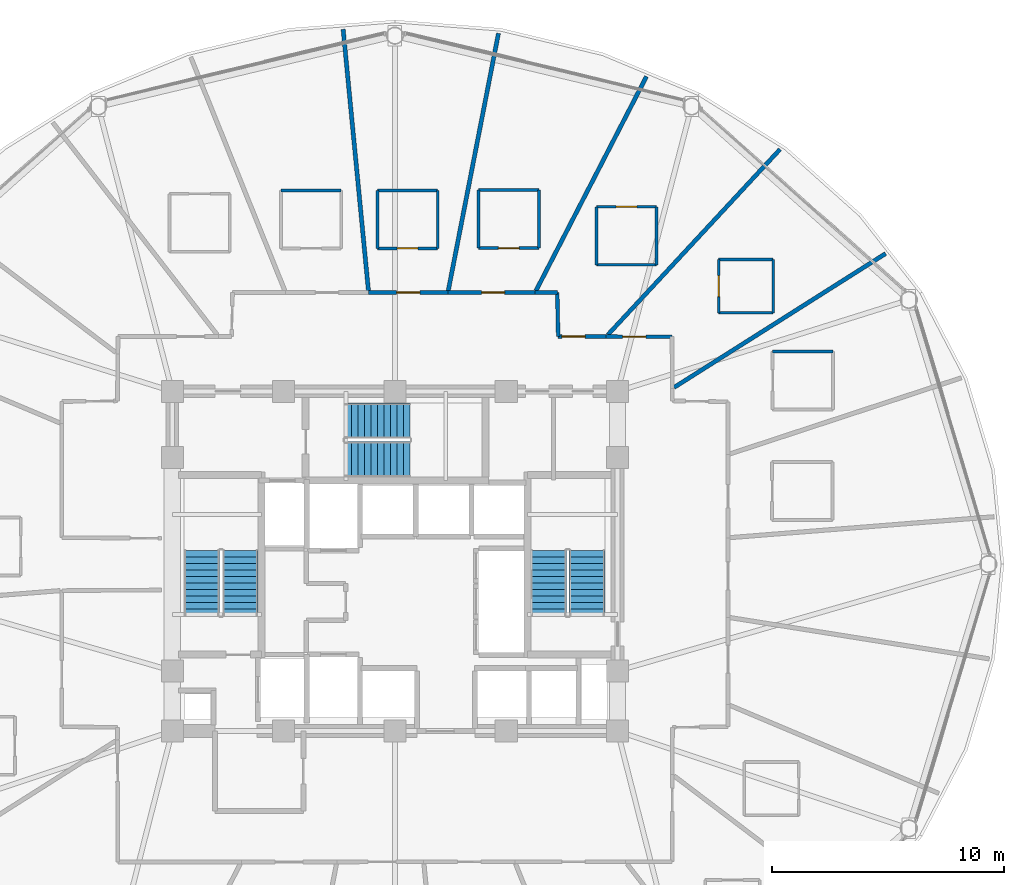
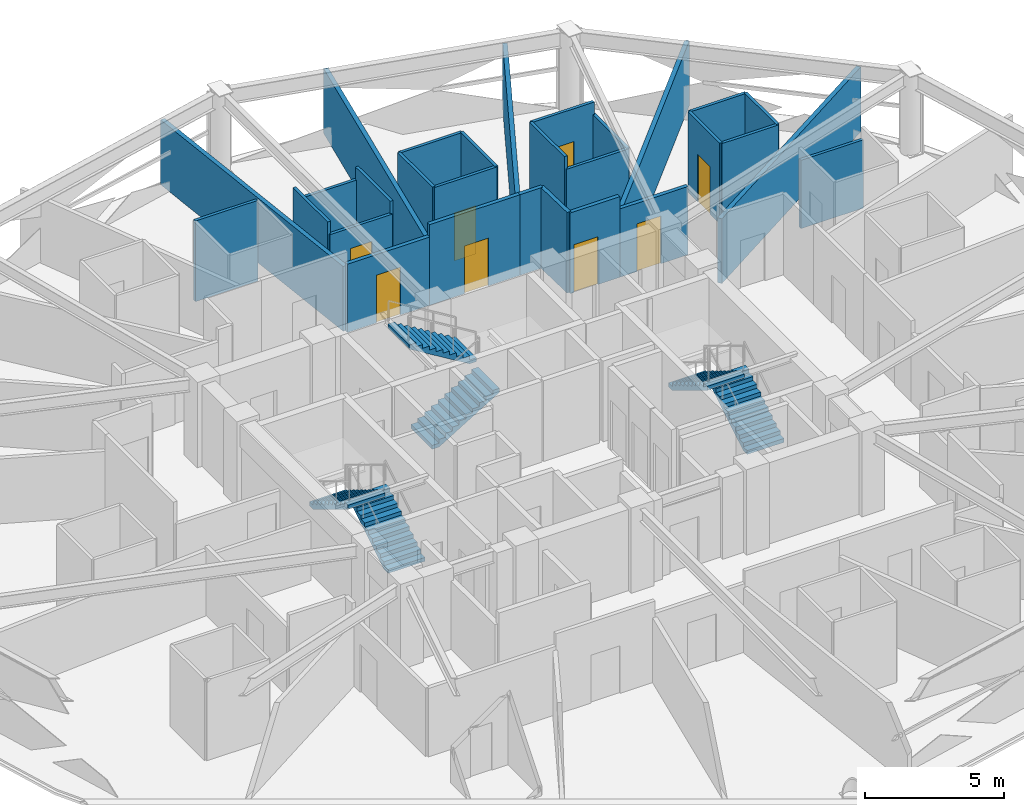
# One storey, part 28 of 32: 29 walls, 8 doors, 6 stair flights, 8 openings, 3 elements without a shape of their own.
"""IFC4 building model written with IfcOpenShell, lengths in metres."""

from ifc_helpers import new_model, si_unit, direction, frame, frame_2d, origin, place, context, subcontext, project, spatial, polyline, rectangle, outline, extrude, material, layer, layer_set, type_object, element, fill, aggregate, save


model = new_model("IFC4")

# Units and contexts
model_context = context("Model", 3, precision=1e-05, world=origin(), true_north=direction((0.0, 1.0)))
body_context = subcontext(model_context, "Body", "Model", "MODEL_VIEW")
ifc_project = project(units=[si_unit("LENGTHUNIT", "METRE"), si_unit("AREAUNIT", "SQUARE_METRE"), si_unit("VOLUMEUNIT", "CUBIC_METRE"), si_unit("PLANEANGLEUNIT", "RADIAN"), si_unit("MASSUNIT", "GRAM", prefix="KILO")], contexts=[model_context])

# Site, building, storey
site_placement = place(None, origin())
site = spatial("IfcSite", under=ifc_project, at=site_placement, CompositionType="ELEMENT")
building_placement = place(site_placement, origin())
building = spatial("IfcBuilding", under=site, at=building_placement, Name="Vantalir Tower", CompositionType="ELEMENT")
storey_placement = place(building_placement, frame((0.0, 0.0, 108.449951171875)))
storey = spatial("IfcBuildingStorey", under=building, at=storey_placement, Name="L26", CompositionType="ELEMENT", Elevation=108.449951171875)

# Walls
ifc_material_1 = material(Name="Moisture-resistant en-suite partition", Category="gypsum")
ifc_layer_1 = layer(ifc_material_1, 0.125)
ifc_layer_set_1 = layer_set([ifc_layer_1], Name="Moisture-resistant en-suite partition")
wall_type_1 = type_object("IfcWallType", Name="WL-BATH-125", PredefinedType="PARTITIONING", material=ifc_layer_set_1)
wall_1_placement = place(storey_placement, frame((47.784912109375, 34.173095703125, 0.0), z_axis=(0.0, 0.0, 1.0), x_axis=(1.0, 0.0, 0.0)))
element("IfcWall", 1, at=wall_1_placement, inside=storey, type_object=wall_type_1, Name="L26 En-suite 02 North Wall", PredefinedType="PARTITIONING", context=body_context, shape_type="SweptSolid", body=[
    extrude(rectangle(XDim=2.60009765625, YDim=0.125, at=frame_2d((1.300048828125, 0.0))), origin(), (0.0, 0.0, 1.0), 3.006103515625),
])
for number, where, z_axis, x_axis, name in (
    (2, (45.462890625, 35.837890625, 0.0), (0.0, 0.0, 1.0), (1.0, 0.0, 0.0), "L26 En-suite 03 South Wall"),
    (3, (45.462890625, 38.137939453125, 0.0), (0.0, 0.0, 1.0), (1.0, 0.0, 0.0), "L26 En-suite 03 North Wall"),
):
    element("IfcWall", number, at=place(storey_placement, frame(where, z_axis=z_axis, x_axis=x_axis)), inside=storey, type_object=wall_type_1, Name=name, PredefinedType="PARTITIONING", context=body_context, shape_type="SweptSolid", body=[
        extrude(rectangle(XDim=2.35009765625, YDim=0.125, at=frame_2d((1.175048828125, 0.0))), origin(), (0.0, 0.0, 1.0), 3.550048828125),
    ])

# Wall, opening, door
wall_2_placement = place(storey_placement, frame((45.462890625, 35.837890625, 0.0), z_axis=(0.0, 0.0, 1.0), x_axis=(0.0, 1.0, 0.0)))
wall_2 = element("IfcWall", 4, at=wall_2_placement, inside=storey, type_object=wall_type_1, Name="L26 En-suite 03 West Wall", PredefinedType="PARTITIONING", context=body_context, shape_type="SweptSolid", body=[
    extrude(rectangle(XDim=2.300048828125, YDim=0.125, at=frame_2d((1.14990234375, 0.0))), origin(), (0.0, 0.0, 1.0), 3.550048828125),
])
opening_1_placement = place(wall_2_placement, frame((0.699951171875, 0.0, 0.0)))
opening_1 = element("IfcOpeningElement", 5, at=opening_1_placement, cuts=wall_2, Name="Opening D-WC", PredefinedType="OPENING", context=body_context, shape_type="SweptSolid", body=[
    extrude(rectangle(XDim=0.89990234375, YDim=2.10009765625, at=frame_2d((0.449951171875, 1.050048828125))), frame((0.0, 0.072509765625, 0.0), z_axis=(0.0, -1.0, 0.0), x_axis=(1.0, 0.0, 0.0)), (0.0, 0.0, 1.0), 0.14501953125),
])
ifc_material_2 = material(Name="Moisture-resistant hardwood door", Category="wood")
door_type_1 = type_object("IfcDoorType", Name="DR-ENSUITE-900", OperationType="NOTDEFINED", PredefinedType="DOOR", material=ifc_material_2)
door_1_placement = place(opening_1_placement, frame((0.89990234375, 0.0, 0.0), z_axis=(0.0, 0.0, 1.0), x_axis=(-1.0, 0.0, 0.0)))
door_1 = element("IfcDoor", 6, at=door_1_placement, inside=storey, type_object=door_type_1, Name="L26 En-suite 03 Door", OperationType="SINGLE_SWING_RIGHT", OverallHeight=2.10009765625, OverallWidth=0.89990234375, PredefinedType="DOOR", context=body_context, shape_type="SweptSolid", body=[
    extrude(rectangle(XDim=0.89990234375, YDim=2.10009765625, at=frame_2d((0.449951171875, 1.050048828125))), frame((0.0, 0.02490234375, 0.0), z_axis=(0.0, -1.0, 0.0), x_axis=(1.0, 0.0, 0.0)), (0.0, 0.0, 1.0), 0.050048828125),
])
fill(opening_1, door_1)

# Walls
wall_3_placement = place(storey_placement, frame((47.81298828125, 35.837890625, 0.0), z_axis=(0.0, 0.0, 1.0), x_axis=(0.0, 1.0, 0.0)))
element("IfcWall", 7, at=wall_3_placement, inside=storey, type_object=wall_type_1, Name="L26 En-suite 03 East Wall", PredefinedType="PARTITIONING", context=body_context, shape_type="SweptSolid", body=[
    extrude(rectangle(XDim=2.300048828125, YDim=0.125, at=frame_2d((1.14990234375, 0.0))), origin(), (0.0, 0.0, 1.0), 3.550048828125),
])
wall_4_placement = place(storey_placement, frame((40.18701171875, 37.908935546875, 0.0), z_axis=(0.0, 0.0, 1.0), x_axis=(1.0, 0.0, 0.0)))
element("IfcWall", 8, at=wall_4_placement, inside=storey, type_object=wall_type_1, Name="L26 En-suite 04 South Wall", PredefinedType="PARTITIONING", context=body_context, shape_type="SweptSolid", body=[
    extrude(rectangle(XDim=2.60009765625, YDim=0.125, at=frame_2d((1.300048828125, 0.0))), origin(), (0.0, 0.0, 1.0), 3.006103515625),
])

# Wall, opening, door
wall_5_placement = place(storey_placement, frame((40.18701171875, 40.408935546875, 0.0), z_axis=(0.0, 0.0, 1.0), x_axis=(1.0, 0.0, 0.0)))
wall_5 = element("IfcWall", 9, at=wall_5_placement, inside=storey, type_object=wall_type_1, Name="L26 En-suite 04 North Wall", PredefinedType="PARTITIONING", context=body_context, shape_type="SweptSolid", body=[
    extrude(rectangle(XDim=2.60009765625, YDim=0.125, at=frame_2d((1.300048828125, 0.0))), origin(), (0.0, 0.0, 1.0), 3.550048828125),
])
opening_2_placement = place(wall_5_placement, frame((0.85009765625, 0.0, 0.0)))
opening_2 = element("IfcOpeningElement", 10, at=opening_2_placement, cuts=wall_5, Name="Opening D-WC", PredefinedType="OPENING", context=body_context, shape_type="SweptSolid", body=[
    extrude(rectangle(XDim=0.89990234375, YDim=2.10009765625, at=frame_2d((0.449951171875, 1.050048828125))), frame((0.0, 0.072509765625, 0.0), z_axis=(0.0, -1.0, 0.0), x_axis=(1.0, 0.0, 0.0)), (0.0, 0.0, 1.0), 0.14501953125),
])
door_2_placement = place(opening_2_placement, frame((0.89990234375, 0.0, 0.0), z_axis=(0.0, 0.0, 1.0), x_axis=(-1.0, 0.0, 0.0)))
door_2 = element("IfcDoor", 11, at=door_2_placement, inside=storey, type_object=door_type_1, Name="L26 En-suite 04 Door", OperationType="SINGLE_SWING_LEFT", OverallHeight=2.10009765625, OverallWidth=0.89990234375, PredefinedType="DOOR", context=body_context, shape_type="SweptSolid", body=[
    extrude(rectangle(XDim=0.89990234375, YDim=2.10009765625, at=frame_2d((0.449951171875, 1.050048828125))), frame((0.0, 0.02490234375, 0.0), z_axis=(0.0, -1.0, 0.0), x_axis=(1.0, 0.0, 0.0)), (0.0, 0.0, 1.0), 0.050048828125),
])
fill(opening_2, door_2)

# Walls
wall_6_placement = place(storey_placement, frame((40.18701171875, 37.908935546875, 0.0), z_axis=(0.0, 0.0, 1.0), x_axis=(0.0, 1.0, 0.0)))
element("IfcWall", 12, at=wall_6_placement, inside=storey, type_object=wall_type_1, Name="L26 En-suite 04 West Wall", PredefinedType="PARTITIONING", context=body_context, shape_type="SweptSolid", body=[
    extrude(rectangle(XDim=2.5, YDim=0.125, at=frame_2d((1.25, 0.0))), origin(), (0.0, 0.0, 1.0), 3.550048828125),
])
wall_7_placement = place(storey_placement, frame((42.787109375, 37.908935546875, 0.0), z_axis=(0.0, 0.0, 1.0), x_axis=(0.0, 1.0, 0.0)))
element("IfcWall", 13, at=wall_7_placement, inside=storey, type_object=wall_type_1, Name="L26 En-suite 04 East Wall", PredefinedType="PARTITIONING", context=body_context, shape_type="SweptSolid", body=[
    extrude(rectangle(XDim=2.5, YDim=0.125, at=frame_2d((1.25, 0.0))), origin(), (0.0, 0.0, 1.0), 3.006103515625),
])

# Wall, opening, door
wall_8_placement = place(storey_placement, frame((35.110107421875, 38.6259765625, 0.0), z_axis=(0.0, 0.0, 1.0), x_axis=(1.0, 0.0, 0.0)))
wall_8 = element("IfcWall", 14, at=wall_8_placement, inside=storey, type_object=wall_type_1, Name="L26 En-suite 05 South Wall", PredefinedType="PARTITIONING", context=body_context, shape_type="SweptSolid", body=[
    extrude(rectangle(XDim=2.599853515625, YDim=0.125, at=frame_2d((1.2998046875, 0.0))), origin(), (0.0, 0.0, 1.0), 3.550048828125),
])
opening_3_placement = place(wall_8_placement, frame((0.85009765625, 0.0, 0.0)))
opening_3 = element("IfcOpeningElement", 15, at=opening_3_placement, cuts=wall_8, Name="Opening D-WC", PredefinedType="OPENING", context=body_context, shape_type="SweptSolid", body=[
    extrude(rectangle(XDim=0.89990234375, YDim=2.10009765625, at=frame_2d((0.449951171875, 1.050048828125))), frame((0.0, 0.072509765625, 0.0), z_axis=(0.0, -1.0, 0.0), x_axis=(1.0, 0.0, 0.0)), (0.0, 0.0, 1.0), 0.14501953125),
])
door_3_placement = place(opening_3_placement, origin())
door_3 = element("IfcDoor", 16, at=door_3_placement, inside=storey, type_object=door_type_1, Name="L26 En-suite 05 Door", OperationType="SINGLE_SWING_RIGHT", OverallHeight=2.10009765625, OverallWidth=0.89990234375, PredefinedType="DOOR", context=body_context, shape_type="SweptSolid", body=[
    extrude(rectangle(XDim=0.89990234375, YDim=2.10009765625, at=frame_2d((0.449951171875, 1.050048828125))), frame((0.0, 0.02490234375, 0.0), z_axis=(0.0, -1.0, 0.0), x_axis=(1.0, 0.0, 0.0)), (0.0, 0.0, 1.0), 0.050048828125),
])
fill(opening_3, door_3)

# Walls
wall_9_placement = place(storey_placement, frame((35.110107421875, 41.1259765625, 0.0), z_axis=(0.0, 0.0, 1.0), x_axis=(1.0, 0.0, 0.0)))
element("IfcWall", 17, at=wall_9_placement, inside=storey, type_object=wall_type_1, Name="L26 En-suite 05 North Wall", PredefinedType="PARTITIONING", context=body_context, shape_type="SweptSolid", body=[
    extrude(rectangle(XDim=2.599853515625, YDim=0.125, at=frame_2d((1.2998046875, 0.0))), origin(), (0.0, 0.0, 1.0), 3.550048828125),
])
for number, where, z_axis, x_axis, name in (
    (18, (35.110107421875, 38.6259765625, 0.0), (0.0, 0.0, 1.0), (0.0, 1.0, 0.0), "L26 En-suite 05 West Wall"),
    (19, (37.7099609375, 38.6259765625, 0.0), (0.0, 0.0, 1.0), (0.0, 1.0, 0.0), "L26 En-suite 05 East Wall"),
):
    element("IfcWall", number, at=place(storey_placement, frame(where, z_axis=z_axis, x_axis=x_axis)), inside=storey, type_object=wall_type_1, Name=name, PredefinedType="PARTITIONING", context=body_context, shape_type="SweptSolid", body=[
        extrude(rectangle(XDim=2.5, YDim=0.125, at=frame_2d((1.25, 0.0))), origin(), (0.0, 0.0, 1.0), 3.550048828125),
    ])

# Wall, opening, door
wall_10_placement = place(storey_placement, frame((30.7451171875, 38.617919921875, 0.0), z_axis=(0.0, 0.0, 1.0), x_axis=(1.0, 0.0, 0.0)))
wall_10 = element("IfcWall", 20, at=wall_10_placement, inside=storey, type_object=wall_type_1, Name="L26 En-suite 06 South Wall", PredefinedType="PARTITIONING", context=body_context, shape_type="SweptSolid", body=[
    extrude(rectangle(XDim=2.599853515625, YDim=0.125, at=frame_2d((1.2998046875, 0.0))), origin(), (0.0, 0.0, 1.0), 3.006103515625),
])
opening_4_placement = place(wall_10_placement, frame((0.85009765625, 0.0, 0.0)))
opening_4 = element("IfcOpeningElement", 21, at=opening_4_placement, cuts=wall_10, Name="Opening D-WC", PredefinedType="OPENING", context=body_context, shape_type="SweptSolid", body=[
    extrude(rectangle(XDim=0.89990234375, YDim=2.10009765625, at=frame_2d((0.449951171875, 1.050048828125))), frame((0.0, 0.072509765625, 0.0), z_axis=(0.0, -1.0, 0.0), x_axis=(1.0, 0.0, 0.0)), (0.0, 0.0, 1.0), 0.14501953125),
])
door_4_placement = place(opening_4_placement, origin())
door_4 = element("IfcDoor", 22, at=door_4_placement, inside=storey, type_object=door_type_1, Name="L26 En-suite 06 Door", OperationType="SINGLE_SWING_LEFT", OverallHeight=2.10009765625, OverallWidth=0.89990234375, PredefinedType="DOOR", context=body_context, shape_type="SweptSolid", body=[
    extrude(rectangle(XDim=0.89990234375, YDim=2.10009765625, at=frame_2d((0.449951171875, 1.050048828125))), frame((0.0, 0.02490234375, 0.0), z_axis=(0.0, -1.0, 0.0), x_axis=(1.0, 0.0, 0.0)), (0.0, 0.0, 1.0), 0.050048828125),
])
fill(opening_4, door_4)

# Walls
wall_11_placement = place(storey_placement, frame((30.7451171875, 41.117919921875, 0.0), z_axis=(0.0, 0.0, 1.0), x_axis=(1.0, 0.0, 0.0)))
element("IfcWall", 23, at=wall_11_placement, inside=storey, type_object=wall_type_1, Name="L26 En-suite 06 North Wall", PredefinedType="PARTITIONING", context=body_context, shape_type="SweptSolid", body=[
    extrude(rectangle(XDim=2.599853515625, YDim=0.125, at=frame_2d((1.2998046875, 0.0))), origin(), (0.0, 0.0, 1.0), 3.006103515625),
])
for number, where, z_axis, x_axis, name in (
    (24, (30.7451171875, 38.617919921875, 0.0), (0.0, 0.0, 1.0), (0.0, 1.0, 0.0), "L26 En-suite 06 West Wall"),
    (25, (33.344970703125, 38.617919921875, 0.0), (0.0, 0.0, 1.0), (0.0, 1.0, 0.0), "L26 En-suite 06 East Wall"),
):
    element("IfcWall", number, at=place(storey_placement, frame(where, z_axis=z_axis, x_axis=x_axis)), inside=storey, type_object=wall_type_1, Name=name, PredefinedType="PARTITIONING", context=body_context, shape_type="SweptSolid", body=[
        extrude(rectangle(XDim=2.5, YDim=0.125, at=frame_2d((1.25, 0.0))), origin(), (0.0, 0.0, 1.0), 3.550048828125),
    ])
wall_12_placement = place(storey_placement, frame((26.583984375, 41.114990234375, 0.0), z_axis=(0.0, 0.0, 1.0), x_axis=(1.0, 0.0, 0.0)))
element("IfcWall", 26, at=wall_12_placement, inside=storey, type_object=wall_type_1, Name="L26 En-suite 07 North Wall", PredefinedType="PARTITIONING", context=body_context, shape_type="SweptSolid", body=[
    extrude(rectangle(XDim=2.60009765625, YDim=0.125, at=frame_2d((1.300048828125, 0.0))), origin(), (0.0, 0.0, 1.0), 3.550048828125),
])

# Wall, opening, door
ifc_material_3 = material(Name="Fire-rated hotel corridor acoustic partition", Category="gypsum")
ifc_layer_2 = layer(ifc_material_3, 0.159912109375)
ifc_layer_set_2 = layer_set([ifc_layer_2], Name="Fire-rated hotel corridor acoustic partition")
wall_type_2 = type_object("IfcWallType", Name="WL-CORR-160", PredefinedType="PARTITIONING", material=ifc_layer_set_2)
wall_13_placement = place(storey_placement, frame((30.365966796875, 36.715087890625, 0.0), z_axis=(0.0, 0.0, 1.0), x_axis=(1.0, 0.0, 0.0)))
wall_13 = element("IfcWall", 27, at=wall_13_placement, inside=storey, type_object=wall_type_2, Name="L26 Corridor Partition 12", PredefinedType="PARTITIONING", context=body_context, shape_type="SweptSolid", body=[
    extrude(rectangle(XDim=3.4189453125, YDim=0.159912109375, at=frame_2d((1.70947265625, 0.0))), origin(), (0.0, 0.0, 1.0), 3.006103515625),
])
opening_5_placement = place(wall_13_placement, frame((1.208984375, 0.0, 0.0)))
opening_5 = element("IfcOpeningElement", 28, at=opening_5_placement, cuts=wall_13, Name="Opening D-GUEST", PredefinedType="OPENING", context=body_context, shape_type="SweptSolid", body=[
    extrude(rectangle(XDim=1.0, YDim=2.10009765625, at=frame_2d((0.5, 1.050048828125))), frame((0.0, 0.08984375, 0.0), z_axis=(0.0, -1.0, 0.0), x_axis=(1.0, 0.0, 0.0)), (0.0, 0.0, 1.0), 0.179931640625),
])
ifc_material_4 = material(Name="Solid-core teak veneer acoustic fire door", Category="wood")
door_type_2 = type_object("IfcDoorType", Name="DR-GUEST-ENTRY-1000", OperationType="NOTDEFINED", PredefinedType="DOOR", material=ifc_material_4)
door_5_placement = place(opening_5_placement, origin())
door_5 = element("IfcDoor", 29, at=door_5_placement, inside=storey, type_object=door_type_2, Name="L26 Deluxe King Hotel Room 06 Door", OperationType="SINGLE_SWING_LEFT", OverallHeight=2.10009765625, OverallWidth=1.0, PredefinedType="DOOR", context=body_context, shape_type="SweptSolid", body=[
    extrude(rectangle(XDim=1.0, YDim=2.10009765625, at=frame_2d((0.5, 1.050048828125))), frame((0.0, 0.02490234375, 0.0), z_axis=(0.0, -1.0, 0.0), x_axis=(1.0, 0.0, 0.0)), (0.0, 0.0, 1.0), 0.050048828125),
])
fill(opening_5, door_5)

wall_14_placement = place(storey_placement, frame((33.784912109375, 36.715087890625, 0.0), z_axis=(0.0, 0.0, 1.0), x_axis=(1.0, 0.0, 0.0)))
wall_14 = element("IfcWall", 30, at=wall_14_placement, inside=storey, type_object=wall_type_2, Name="L26 Corridor Partition 13", PredefinedType="PARTITIONING", context=body_context, shape_type="SweptSolid", body=[
    extrude(rectangle(XDim=3.759033203125, YDim=0.159912109375, at=frame_2d((1.87939453125, 0.0))), origin(), (0.0, 0.0, 1.0), 3.550048828125),
])
opening_6_placement = place(wall_14_placement, frame((1.450927734375, 0.0, 0.0)))
opening_6 = element("IfcOpeningElement", 31, at=opening_6_placement, cuts=wall_14, Name="Opening D-GUEST", PredefinedType="OPENING", context=body_context, shape_type="SweptSolid", body=[
    extrude(rectangle(XDim=1.0, YDim=2.10009765625, at=frame_2d((0.5, 1.050048828125))), frame((0.0, 0.08984375, 0.0), z_axis=(0.0, -1.0, 0.0), x_axis=(1.0, 0.0, 0.0)), (0.0, 0.0, 1.0), 0.179931640625),
])
door_6_placement = place(opening_6_placement, origin())
door_6 = element("IfcDoor", 32, at=door_6_placement, inside=storey, type_object=door_type_2, Name="L26 Twin Queen Hotel Room 05 Door", OperationType="SINGLE_SWING_RIGHT", OverallHeight=2.10009765625, OverallWidth=1.0, PredefinedType="DOOR", context=body_context, shape_type="SweptSolid", body=[
    extrude(rectangle(XDim=1.0, YDim=2.10009765625, at=frame_2d((0.5, 1.050048828125))), frame((0.0, 0.02490234375, 0.0), z_axis=(0.0, -1.0, 0.0), x_axis=(1.0, 0.0, 0.0)), (0.0, 0.0, 1.0), 0.050048828125),
])
fill(opening_6, door_6)

# Walls
wall_15_placement = place(storey_placement, frame((37.5439453125, 36.715087890625, 0.0), z_axis=(0.0, 0.0, 1.0), x_axis=(1.0, 0.0, 0.0)))
element("IfcWall", 33, at=wall_15_placement, inside=storey, type_object=wall_type_2, Name="L26 Corridor Partition 14", PredefinedType="PARTITIONING", context=body_context, shape_type="SweptSolid", body=[
    extrude(rectangle(XDim=0.9560546875, YDim=0.159912109375, at=frame_2d((0.47802734375, 0.0))), origin(), (0.0, 0.0, 1.0), 3.550048828125),
])
wall_16_placement = place(storey_placement, frame((38.5, 36.715087890625, 0.0), z_axis=(0.0, 0.0, 1.0), x_axis=(0.021066889789, -0.999778068451, 0.0)))
element("IfcWall", 34, at=wall_16_placement, inside=storey, type_object=wall_type_2, Name="L26 Corridor Partition 15", PredefinedType="PARTITIONING", context=body_context, shape_type="SweptSolid", body=[
    extrude(rectangle(XDim=1.900634765625, YDim=0.159912109375, at=frame_2d((0.9501953125, 0.0))), origin(), (0.0, 0.0, 1.0), 3.550048828125),
])

# Wall, opening, door
wall_17_placement = place(storey_placement, frame((38.5400390625, 34.81494140625, 0.0), z_axis=(0.0, 0.0, 1.0), x_axis=(0.999998997337, -0.001416094875, 0.0)))
wall_17 = element("IfcWall", 35, at=wall_17_placement, inside=storey, type_object=wall_type_2, Name="L26 Corridor Partition 16", PredefinedType="PARTITIONING", context=body_context, shape_type="SweptSolid", body=[
    extrude(rectangle(XDim=2.06884765625, YDim=0.159912109375, at=frame_2d((1.034423828125, 0.0))), origin(), (0.0, 0.0, 1.0), 3.550048828125),
])
opening_7_placement = place(wall_17_placement, frame((0.159912109375, 0.0, 0.0)))
opening_7 = element("IfcOpeningElement", 36, at=opening_7_placement, cuts=wall_17, Name="Opening D-GUEST", PredefinedType="OPENING", context=body_context, shape_type="SweptSolid", body=[
    extrude(rectangle(XDim=1.0, YDim=2.10009765625, at=frame_2d((0.5, 1.050048828125))), frame((0.0, 0.08984375, 0.0), z_axis=(0.0, -1.0, 0.0), x_axis=(1.0, 0.0, 0.0)), (0.0, 0.0, 1.0), 0.179931640625),
])
door_7_placement = place(opening_7_placement, origin())
door_7 = element("IfcDoor", 37, at=door_7_placement, inside=storey, type_object=door_type_2, Name="L26 Twin Queen Hotel Room 04 Door", OperationType="SINGLE_SWING_LEFT", OverallHeight=2.10009765625, OverallWidth=1.0, PredefinedType="DOOR", context=body_context, shape_type="SweptSolid", body=[
    extrude(rectangle(XDim=1.0, YDim=2.10009765625, at=frame_2d((0.5, 1.050048828125))), frame((0.0, 0.02490234375, 0.0), z_axis=(0.0, -1.0, 0.0), x_axis=(1.0, 0.0, 0.0)), (0.0, 0.0, 1.0), 0.050048828125),
])
fill(opening_7, door_7)

wall_18_placement = place(storey_placement, frame((40.60888671875, 34.81201171875, 0.0), z_axis=(0.0, 0.0, 1.0), x_axis=(0.99999905284, -0.001376342782, 0.0)))
wall_18 = element("IfcWall", 38, at=wall_18_placement, inside=storey, type_object=wall_type_2, Name="L26 Corridor Partition 17", PredefinedType="PARTITIONING", context=body_context, shape_type="SweptSolid", body=[
    extrude(rectangle(XDim=2.838134765625, YDim=0.159912109375, at=frame_2d((1.4189453125, 0.0))), origin(), (0.0, 0.0, 1.0), 3.006103515625),
])
opening_8_placement = place(wall_18_placement, frame((0.7119140625, 0.0, 0.0)))
opening_8 = element("IfcOpeningElement", 39, at=opening_8_placement, cuts=wall_18, Name="Opening D-GUEST", PredefinedType="OPENING", context=body_context, shape_type="SweptSolid", body=[
    extrude(rectangle(XDim=1.0, YDim=2.10009765625, at=frame_2d((0.5, 1.050048828125))), frame((0.0, 0.08984375, 0.0), z_axis=(0.0, -1.0, 0.0), x_axis=(1.0, 0.0, 0.0)), (0.0, 0.0, 1.0), 0.179931640625),
])
door_8_placement = place(opening_8_placement, origin())
door_8 = element("IfcDoor", 40, at=door_8_placement, inside=storey, type_object=door_type_2, Name="L26 Deluxe King Hotel Room 03 Door", OperationType="SINGLE_SWING_RIGHT", OverallHeight=2.10009765625, OverallWidth=1.0, PredefinedType="DOOR", context=body_context, shape_type="SweptSolid", body=[
    extrude(rectangle(XDim=1.0, YDim=2.10009765625, at=frame_2d((0.5, 1.050048828125))), frame((0.0, 0.02490234375, 0.0), z_axis=(0.0, -1.0, 0.0), x_axis=(1.0, 0.0, 0.0)), (0.0, 0.0, 1.0), 0.050048828125),
])
fill(opening_8, door_8)

# Walls
ifc_material_5 = material(Name="Twin-stud acoustic fire-rated gypsum partition", Category="gypsum")
ifc_layer_3 = layer(ifc_material_5, 0.179931640625)
ifc_layer_set_3 = layer_set([ifc_layer_3], Name="Twin-stud acoustic fire-rated gypsum partition")
wall_type_3 = type_object("IfcWallType", Name="WL-GUEST-180", PredefinedType="PARTITIONING", material=ifc_layer_set_3)
wall_19_placement = place(storey_placement, frame((43.5400390625, 32.62109375, 0.0), z_axis=(0.0, 0.0, 1.0), x_axis=(0.844973467663, 0.534808226326, 0.0)))
element("IfcWall", 41, at=wall_19_placement, inside=storey, type_object=wall_type_3, Name="L26 Radial Suite Partition 03", PredefinedType="PARTITIONING", context=body_context, shape_type="SweptSolid", body=[
    extrude(rectangle(XDim=10.790771484375, YDim=0.179931640625, at=frame_2d((5.3955078125, 0.0))), origin(), (0.0, 0.0, 1.0), 2.85107421875),
])
wall_20_placement = place(storey_placement, frame((40.680908203125, 34.889892578125, 0.0), z_axis=(0.0, 0.0, 1.0), x_axis=(0.680353224615, 0.732884363154, 0.0)))
element("IfcWall", 42, at=wall_20_placement, inside=storey, type_object=wall_type_3, Name="L26 Radial Suite Partition 04", PredefinedType="PARTITIONING", context=body_context, shape_type="SweptSolid", body=[
    extrude(rectangle(XDim=10.90771484375, YDim=0.179931640625, at=frame_2d((5.453857421875, 0.0))), origin(), (0.0, 0.0, 1.0), 2.85107421875),
])
wall_21_placement = place(storey_placement, frame((37.58203125, 36.7900390625, 0.0), z_axis=(0.0, 0.0, 1.0), x_axis=(0.458479587385, 0.888704938633, 0.0)))
element("IfcWall", 43, at=wall_21_placement, inside=storey, type_object=wall_type_3, Name="L26 Radial Suite Partition 05", PredefinedType="PARTITIONING", context=body_context, shape_type="SweptSolid", body=[
    extrude(rectangle(XDim=10.39501953125, YDim=0.179931640625, at=frame_2d((5.197509765625, 0.0))), origin(), (0.0, 0.0, 1.0), 2.85107421875),
])
wall_22_placement = place(storey_placement, frame((33.800048828125, 36.7900390625, 0.0), z_axis=(0.0, 0.0, 1.0), x_axis=(0.191475861955, 0.981497322609, 0.0)))
element("IfcWall", 44, at=wall_22_placement, inside=storey, type_object=wall_type_3, Name="L26 Radial Suite Partition 06", PredefinedType="PARTITIONING", context=body_context, shape_type="SweptSolid", body=[
    extrude(rectangle(XDim=11.30712890625, YDim=0.179931640625, at=frame_2d((5.653564453125, 0.0))), origin(), (0.0, 0.0, 1.0), 2.85107421875),
])
wall_23_placement = place(storey_placement, frame((30.35888671875, 36.7900390625, 0.0), z_axis=(0.0, 0.0, 1.0), x_axis=(-0.096399975134, 0.995342677069, 0.0)))
element("IfcWall", 45, at=wall_23_placement, inside=storey, type_object=wall_type_3, Name="L26 Radial Suite Partition 07", PredefinedType="PARTITIONING", context=body_context, shape_type="SweptSolid", body=[
    extrude(rectangle(XDim=11.32568359375, YDim=0.179931640625, at=frame_2d((5.662841796875, 0.0))), origin(), (0.0, 0.0, 1.0), 2.85107421875),
])

# Stair, stair flights
ifc_material_6 = material(Name="Concrete C40/50", Category="concrete")
stair_type = type_object("IfcStairType", Name="STR-CORE-1450", PredefinedType="HALF_TURN_STAIR", material=ifc_material_6)
stair_1_placement = place(storey_placement, origin())
stair_1 = element("IfcStair", 46, at=stair_1_placement, inside=storey, type_object=stair_type, Name="L26 Core Exit Stair 1", PredefinedType="HALF_TURN_STAIR")
stair_flight_type = type_object("IfcStairFlightType", Name="FLT-CORE-1450", PredefinedType="STRAIGHT", material=ifc_material_6)
stair_flight_1_placement = place(storey_placement, frame((24.830078125, 22.7900390625, 0.0), z_axis=(0.0, 0.0, 1.0), x_axis=(0.0, 1.0, 0.0)))
stair_flight_1 = element("IfcStairFlight", 47, at=stair_flight_1_placement, type_object=stair_flight_type, Name="ST1 flight 1", NumberOfRisers=11, NumberOfTreads=10, PredefinedType="STRAIGHT", RiserHeight=0.170454545, TreadLength=0.28, context=body_context, shape_type="SweptSolid", body=[
    extrude(outline(polyline([(0.0, 0.0), (0.0, 0.17041015625), (0.280029296875, 0.17041015625), (0.280029296875, 0.3408203125), (0.56005859375, 0.3408203125), (0.56005859375, 0.511474609375), (0.840087890625, 0.511474609375), (0.840087890625, 0.681884765625), (1.1201171875, 0.681884765625), (1.1201171875, 0.852294921875), (1.39990234375, 0.852294921875), (1.39990234375, 1.022705078125), (1.679931640625, 1.022705078125), (1.679931640625, 1.193115234375), (1.9599609375, 1.193115234375), (1.9599609375, 1.363525390625), (2.239990234375, 1.363525390625), (2.239990234375, 1.5341796875), (2.52001953125, 1.5341796875), (2.52001953125, 1.70458984375), (2.800048828125, 1.70458984375), (2.800048828125, 1.875), (2.800048828125, 1.529052734375), (0.288330078125, 0.0), (0.0, 0.0)])), frame((0.0, 0.77001953125, 0.0), z_axis=(0.0, -1.0, 0.0), x_axis=(1.0, 0.0, 0.0)), (0.0, 0.0, 1.0), 1.5400390625),
])
stair_flight_2_placement = place(storey_placement, frame((23.169921875, 25.590087890625, 1.875), z_axis=(0.0, 0.0, 1.0), x_axis=(0.0, -1.0, 0.0)))
stair_flight_2 = element("IfcStairFlight", 48, at=stair_flight_2_placement, type_object=stair_flight_type, Name="ST1 flight 2", NumberOfRisers=11, NumberOfTreads=10, PredefinedType="STRAIGHT", RiserHeight=0.170454545, TreadLength=0.28, context=body_context, shape_type="SweptSolid", body=[
    extrude(outline(polyline([(0.0, 0.0), (0.0, 0.17041015625), (0.280029296875, 0.17041015625), (0.280029296875, 0.3408203125), (0.56005859375, 0.3408203125), (0.56005859375, 0.511474609375), (0.840087890625, 0.511474609375), (0.840087890625, 0.681884765625), (1.1201171875, 0.681884765625), (1.1201171875, 0.852294921875), (1.39990234375, 0.852294921875), (1.39990234375, 1.022705078125), (1.679931640625, 1.022705078125), (1.679931640625, 1.193115234375), (1.9599609375, 1.193115234375), (1.9599609375, 1.363525390625), (2.239990234375, 1.363525390625), (2.239990234375, 1.5341796875), (2.52001953125, 1.5341796875), (2.52001953125, 1.70458984375), (2.800048828125, 1.70458984375), (2.800048828125, 1.875), (2.800048828125, 1.529052734375), (0.288330078125, 0.0), (0.0, 0.0)])), frame((0.0, 0.77001953125, 0.0), z_axis=(0.0, -1.0, 0.0), x_axis=(1.0, 0.0, 0.0)), (0.0, 0.0, 1.0), 1.5400390625),
])
aggregate(stair_1, [stair_flight_1, stair_flight_2])

stair_2_placement = place(storey_placement, origin())
stair_2 = element("IfcStair", 49, at=stair_2_placement, inside=storey, type_object=stair_type, Name="L26 Core Exit Stair 2", PredefinedType="HALF_TURN_STAIR")
stair_flight_3_placement = place(storey_placement, frame((39.780029296875, 22.7900390625, 0.0), z_axis=(0.0, 0.0, 1.0), x_axis=(0.0, 1.0, 0.0)))
stair_flight_3 = element("IfcStairFlight", 50, at=stair_flight_3_placement, type_object=stair_flight_type, Name="ST2 flight 1", NumberOfRisers=11, NumberOfTreads=10, PredefinedType="STRAIGHT", RiserHeight=0.170454545, TreadLength=0.28, context=body_context, shape_type="SweptSolid", body=[
    extrude(outline(polyline([(0.0, 0.0), (0.0, 0.17041015625), (0.280029296875, 0.17041015625), (0.280029296875, 0.3408203125), (0.56005859375, 0.3408203125), (0.56005859375, 0.511474609375), (0.840087890625, 0.511474609375), (0.840087890625, 0.681884765625), (1.1201171875, 0.681884765625), (1.1201171875, 0.852294921875), (1.39990234375, 0.852294921875), (1.39990234375, 1.022705078125), (1.679931640625, 1.022705078125), (1.679931640625, 1.193115234375), (1.9599609375, 1.193115234375), (1.9599609375, 1.363525390625), (2.239990234375, 1.363525390625), (2.239990234375, 1.5341796875), (2.52001953125, 1.5341796875), (2.52001953125, 1.70458984375), (2.800048828125, 1.70458984375), (2.800048828125, 1.875), (2.800048828125, 1.529052734375), (0.288330078125, 0.0), (0.0, 0.0)])), frame((0.0, 0.77001953125, 0.0), z_axis=(0.0, -1.0, 0.0), x_axis=(1.0, 0.0, 0.0)), (0.0, 0.0, 1.0), 1.5400390625),
])
stair_flight_4_placement = place(storey_placement, frame((38.1201171875, 25.590087890625, 1.875), z_axis=(0.0, 0.0, 1.0), x_axis=(0.0, -1.0, 0.0)))
stair_flight_4 = element("IfcStairFlight", 51, at=stair_flight_4_placement, type_object=stair_flight_type, Name="ST2 flight 2", NumberOfRisers=11, NumberOfTreads=10, PredefinedType="STRAIGHT", RiserHeight=0.170454545, TreadLength=0.28, context=body_context, shape_type="SweptSolid", body=[
    extrude(outline(polyline([(0.0, 0.0), (0.0, 0.17041015625), (0.280029296875, 0.17041015625), (0.280029296875, 0.3408203125), (0.56005859375, 0.3408203125), (0.56005859375, 0.511474609375), (0.840087890625, 0.511474609375), (0.840087890625, 0.681884765625), (1.1201171875, 0.681884765625), (1.1201171875, 0.852294921875), (1.39990234375, 0.852294921875), (1.39990234375, 1.022705078125), (1.679931640625, 1.022705078125), (1.679931640625, 1.193115234375), (1.9599609375, 1.193115234375), (1.9599609375, 1.363525390625), (2.239990234375, 1.363525390625), (2.239990234375, 1.5341796875), (2.52001953125, 1.5341796875), (2.52001953125, 1.70458984375), (2.800048828125, 1.70458984375), (2.800048828125, 1.875), (2.800048828125, 1.529052734375), (0.288330078125, 0.0), (0.0, 0.0)])), frame((0.0, 0.77001953125, 0.0), z_axis=(0.0, -1.0, 0.0), x_axis=(1.0, 0.0, 0.0)), (0.0, 0.0, 1.0), 1.5400390625),
])
aggregate(stair_2, [stair_flight_3, stair_flight_4])

stair_3_placement = place(storey_placement, origin())
stair_3 = element("IfcStair", 52, at=stair_3_placement, inside=storey, type_object=stair_type, Name="L26 Core Exit Stair 3", PredefinedType="HALF_TURN_STAIR")
stair_flight_5_placement = place(storey_placement, frame((29.340087890625, 29.52001953125, 0.0), z_axis=(0.0, 0.0, 1.0), x_axis=(1.0, 0.0, 0.0)))
stair_flight_5 = element("IfcStairFlight", 53, at=stair_flight_5_placement, type_object=stair_flight_type, Name="ST3 flight 1", NumberOfRisers=11, NumberOfTreads=10, PredefinedType="STRAIGHT", RiserHeight=0.170454545, TreadLength=0.28, context=body_context, shape_type="SweptSolid", body=[
    extrude(outline(polyline([(0.0, 0.0), (0.0, 0.17041015625), (0.280029296875, 0.17041015625), (0.280029296875, 0.3408203125), (0.56005859375, 0.3408203125), (0.56005859375, 0.511474609375), (0.840087890625, 0.511474609375), (0.840087890625, 0.681884765625), (1.1201171875, 0.681884765625), (1.1201171875, 0.852294921875), (1.39990234375, 0.852294921875), (1.39990234375, 1.022705078125), (1.679931640625, 1.022705078125), (1.679931640625, 1.193115234375), (1.9599609375, 1.193115234375), (1.9599609375, 1.363525390625), (2.239990234375, 1.363525390625), (2.239990234375, 1.5341796875), (2.52001953125, 1.5341796875), (2.52001953125, 1.70458984375), (2.800048828125, 1.70458984375), (2.800048828125, 1.875), (2.800048828125, 1.529052734375), (0.288330078125, 0.0), (0.0, 0.0)])), frame((0.0, 0.77001953125, 0.0), z_axis=(0.0, -1.0, 0.0), x_axis=(1.0, 0.0, 0.0)), (0.0, 0.0, 1.0), 1.5400390625),
])
stair_flight_6_placement = place(storey_placement, frame((32.139892578125, 31.179931640625, 1.875), z_axis=(0.0, 0.0, 1.0), x_axis=(-1.0, 0.0, 0.0)))
stair_flight_6 = element("IfcStairFlight", 54, at=stair_flight_6_placement, type_object=stair_flight_type, Name="ST3 flight 2", NumberOfRisers=11, NumberOfTreads=10, PredefinedType="STRAIGHT", RiserHeight=0.170454545, TreadLength=0.28, context=body_context, shape_type="SweptSolid", body=[
    extrude(outline(polyline([(0.0, 0.0), (0.0, 0.17041015625), (0.280029296875, 0.17041015625), (0.280029296875, 0.3408203125), (0.56005859375, 0.3408203125), (0.56005859375, 0.511474609375), (0.840087890625, 0.511474609375), (0.840087890625, 0.681884765625), (1.1201171875, 0.681884765625), (1.1201171875, 0.852294921875), (1.39990234375, 0.852294921875), (1.39990234375, 1.022705078125), (1.679931640625, 1.022705078125), (1.679931640625, 1.193115234375), (1.9599609375, 1.193115234375), (1.9599609375, 1.363525390625), (2.239990234375, 1.363525390625), (2.239990234375, 1.5341796875), (2.52001953125, 1.5341796875), (2.52001953125, 1.70458984375), (2.800048828125, 1.70458984375), (2.800048828125, 1.875), (2.800048828125, 1.529052734375), (0.288330078125, 0.0), (0.0, 0.0)])), frame((0.0, 0.77001953125, 0.0), z_axis=(0.0, -1.0, 0.0), x_axis=(1.0, 0.0, 0.0)), (0.0, 0.0, 1.0), 1.5400390625),
])
aggregate(stair_3, [stair_flight_5, stair_flight_6])

save(model, "model.ifc")
